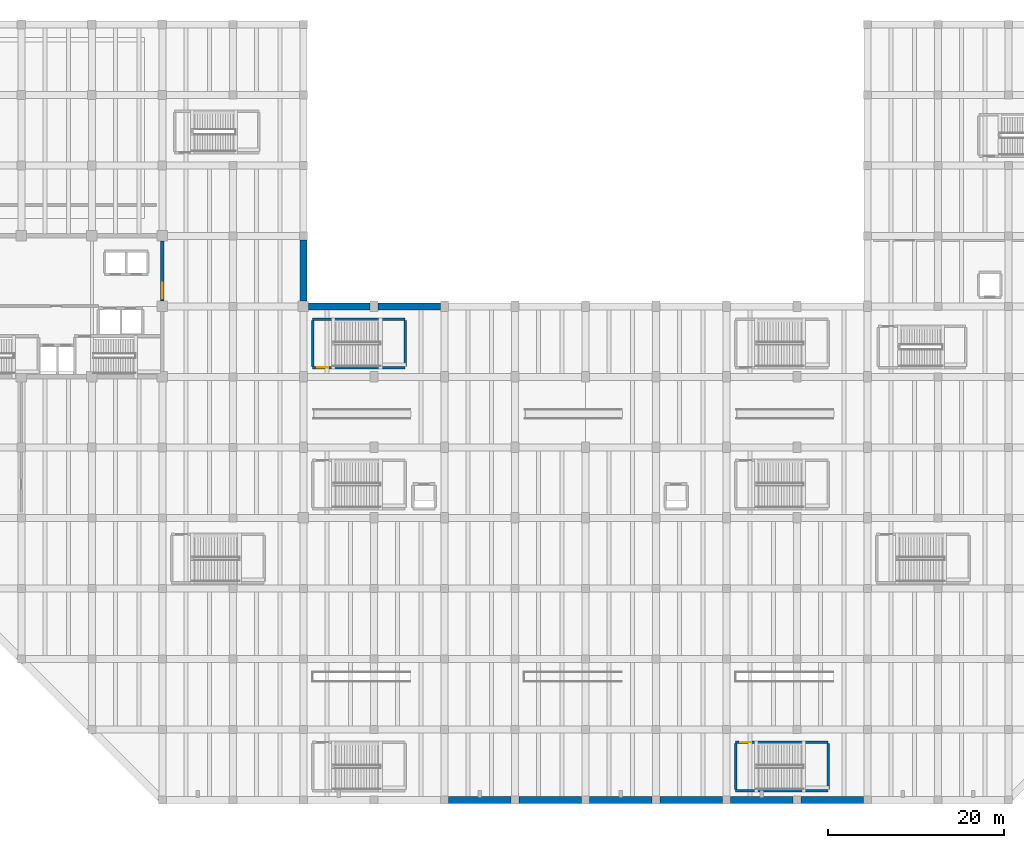
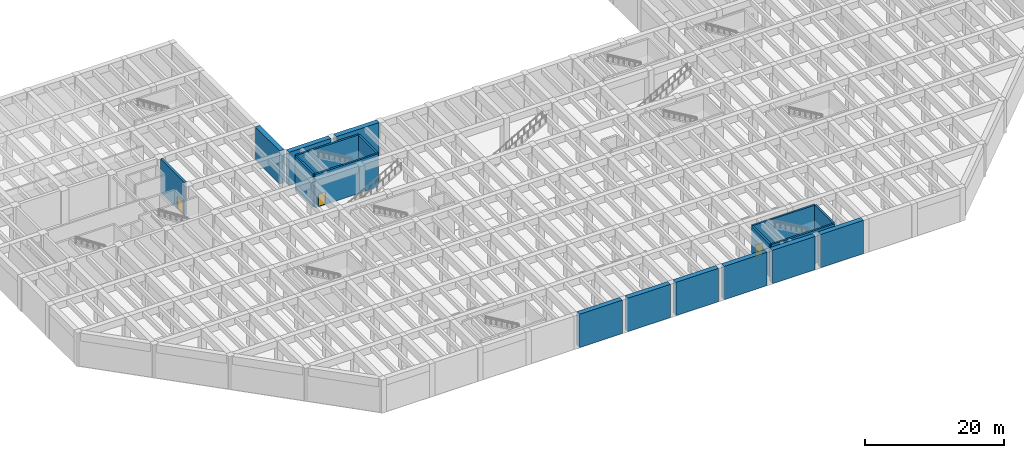
# One storey, part 9 of 24: 18 walls, 3 doors, 3 openings.
"""IFC4 building model written with IfcOpenShell, lengths in metres."""

from ifc_helpers import new_model, si_unit, direction, frame, frame_2d, origin, place, context, subcontext, project, spatial, rectangle, extrude, material, layer, layer_set, type_object, element, fill, save


model = new_model("IFC4")

# Units and contexts
model_context = context("Model", 3, precision=1e-05, world=origin(), true_north=direction((0.0, 1.0)))
body_context = subcontext(model_context, "Body", "Model", "MODEL_VIEW")
ifc_project = project(units=[si_unit("LENGTHUNIT", "METRE"), si_unit("AREAUNIT", "SQUARE_METRE"), si_unit("VOLUMEUNIT", "CUBIC_METRE"), si_unit("PLANEANGLEUNIT", "RADIAN"), si_unit("MASSUNIT", "GRAM", prefix="KILO")], contexts=[model_context])

# Site, building, storey
site_placement = place(None, origin())
site = spatial("IfcSite", under=ifc_project, at=site_placement, CompositionType="ELEMENT")
building_placement = place(site_placement, origin())
building = spatial("IfcBuilding", under=site, at=building_placement, Name="Varnela Railside Interchange", CompositionType="ELEMENT")
storey_placement = place(building_placement, frame((0.0, 0.0, -6.300048828125)))
storey = spatial("IfcBuildingStorey", under=building, at=storey_placement, Name="B1", CompositionType="ELEMENT", Elevation=-6.300048828125)

# Wall, opening, door
ifc_material_1 = material(Name="Concrete C50", Category="concrete")
ifc_layer_1 = layer(ifc_material_1, 0.39990234375)
ifc_layer_set_1 = layer_set([ifc_layer_1], Name="Concrete C50")
wall_type_1 = type_object("IfcWallType", Name="Core Coupling Shear Wall SW-02", PredefinedType="SHEAR", material=ifc_layer_set_1)
wall_1_placement = place(storey_placement, frame((36.0, 62.60009765625, 0.0), z_axis=(0.0, 0.0, 1.0), x_axis=(0.0, 1.0, 0.0)))
wall_1 = element("IfcWall", 1, at=wall_1_placement, inside=storey, type_object=wall_type_1, Name="Core Coupling Shear Wall SW-02 (B1) (WL-0154)", PredefinedType="SHEAR", context=body_context, shape_type="SweptSolid", body=[
    extrude(rectangle(XDim=6.7998046875, YDim=0.39990234375, at=frame_2d((3.39990234375, 0.0))), origin(), (0.0, 0.0, 1.0), 5.85009765625),
])
opening_1_placement = place(wall_1_placement, frame((0.300048828125, 0.0, 0.0)))
opening_1 = element("IfcOpeningElement", 2, at=opening_1_placement, cuts=wall_1, Name="Opening D-128", PredefinedType="OPENING", context=body_context, shape_type="SweptSolid", body=[
    extrude(rectangle(XDim=1.800048828125, YDim=2.199951171875, at=frame_2d((0.89990234375, 1.10009765625))), frame((0.0, 0.2099609375, 0.0), z_axis=(0.0, -1.0, 0.0), x_axis=(1.0, 0.0, 0.0)), (0.0, 0.0, 1.0), 0.419921875),
])
ifc_material_2 = material(Name="Steel AR 350 (350 MPa)", Category="steel")
door_type_1 = type_object("IfcDoorType", Name="DR-DBL-1800-FD60", OperationType="DOUBLE_DOOR_SINGLE_SWING", PredefinedType="DOOR", material=ifc_material_2)
door_1_placement = place(opening_1_placement, origin())
door_1 = element("IfcDoor", 3, at=door_1_placement, inside=storey, type_object=door_type_1, Name="Door D-128", OperationType="DOUBLE_DOOR_SINGLE_SWING", OverallHeight=2.199951171875, OverallWidth=1.800048828125, PredefinedType="DOOR", context=body_context, shape_type="SweptSolid", body=[
    extrude(rectangle(XDim=1.800048828125, YDim=2.199951171875, at=frame_2d((0.89990234375, 1.10009765625))), frame((0.0, 0.02490234375, 0.0), z_axis=(0.0, -1.0, 0.0), x_axis=(1.0, 0.0, 0.0)), (0.0, 0.0, 1.0), 0.050048828125),
])
fill(opening_1, door_1)

# Wall
ifc_layer_2 = layer(ifc_material_1, 0.300048828125)
ifc_layer_set_2 = layer_set([ifc_layer_2], Name="Concrete C50")
wall_type_2 = type_object("IfcWallType", Name="Stair & Lift Shaft Wall SW-03", PredefinedType="SHEAR", material=ifc_layer_set_2)
wall_2_placement = place(storey_placement, frame((53.050048828125, 60.550048828125, 0.0), z_axis=(0.0, 0.0, 1.0), x_axis=(1.0, 0.0, 0.0)))
element("IfcWall", 4, at=wall_2_placement, inside=storey, type_object=wall_type_2, Name="Stair & Lift Shaft Wall SW-03 (B1) (WL-0271)", PredefinedType="SHEAR", context=body_context, shape_type="SweptSolid", body=[
    extrude(rectangle(XDim=10.5, YDim=0.300048828125, at=frame_2d((5.25, 0.0))), origin(), (0.0, 0.0, 1.0), 5.85009765625),
])

# Wall, opening, door
wall_3_placement = place(storey_placement, frame((53.050048828125, 55.050048828125, 0.0), z_axis=(0.0, 0.0, 1.0), x_axis=(1.0, 0.0, 0.0)))
wall_3 = element("IfcWall", 5, at=wall_3_placement, inside=storey, type_object=wall_type_2, Name="Stair & Lift Shaft Wall SW-03 (B1) (WL-0272)", PredefinedType="SHEAR", context=body_context, shape_type="SweptSolid", body=[
    extrude(rectangle(XDim=10.5, YDim=0.300048828125, at=frame_2d((5.25, 0.0))), origin(), (0.0, 0.0, 1.0), 5.85009765625),
])
opening_2_placement = place(wall_3_placement, frame((0.550048828125, 0.0, 0.0)))
opening_2 = element("IfcOpeningElement", 6, at=opening_2_placement, cuts=wall_3, Name="Opening D-134", PredefinedType="OPENING", context=body_context, shape_type="SweptSolid", body=[
    extrude(rectangle(XDim=1.199951171875, YDim=2.199951171875, at=frame_2d((0.60009765625, 1.10009765625))), frame((0.0, 0.159912109375, 0.0), z_axis=(0.0, -1.0, 0.0), x_axis=(1.0, 0.0, 0.0)), (0.0, 0.0, 1.0), 0.320068359375),
])
door_type_2 = type_object("IfcDoorType", Name="DR-SGL-1200-FD90", OperationType="NOTDEFINED", PredefinedType="DOOR", material=ifc_material_2)
door_2_placement = place(opening_2_placement, origin())
door_2 = element("IfcDoor", 7, at=door_2_placement, inside=storey, type_object=door_type_2, Name="Door D-134", OperationType="SINGLE_SWING_RIGHT", OverallHeight=2.199951171875, OverallWidth=1.199951171875, PredefinedType="DOOR", context=body_context, shape_type="SweptSolid", body=[
    extrude(rectangle(XDim=1.199951171875, YDim=2.199951171875, at=frame_2d((0.60009765625, 1.10009765625))), frame((0.0, 0.02490234375, 0.0), z_axis=(0.0, -1.0, 0.0), x_axis=(1.0, 0.0, 0.0)), (0.0, 0.0, 1.0), 0.050048828125),
])
fill(opening_2, door_2)

# Walls
for number, where, z_axis, x_axis, name in (
    (8, (53.050048828125, 55.199951171875, 0.0), (0.0, 0.0, 1.0), (0.0, 1.0, 0.0), "Stair & Lift Shaft Wall SW-03 (B1) (WL-0273)"),
    (9, (63.550048828125, 55.199951171875, 0.0), (0.0, 0.0, 1.0), (0.0, 1.0, 0.0), "Stair & Lift Shaft Wall SW-03 (B1) (WL-0270)"),
):
    element("IfcWall", number, at=place(storey_placement, frame(where, z_axis=z_axis, x_axis=x_axis)), inside=storey, type_object=wall_type_2, Name=name, PredefinedType="SHEAR", context=body_context, shape_type="SweptSolid", body=[
        extrude(rectangle(XDim=5.199951171875, YDim=0.300048828125, at=frame_2d((2.60009765625, 0.0))), origin(), (0.0, 0.0, 1.0), 5.85009765625),
    ])

# Wall, opening, door
wall_4_placement = place(storey_placement, frame((101.050048828125, 12.550048828125, 0.0), z_axis=(0.0, 0.0, 1.0), x_axis=(1.0, 0.0, 0.0)))
wall_4 = element("IfcWall", 10, at=wall_4_placement, inside=storey, type_object=wall_type_2, Name="Stair & Lift Shaft Wall SW-03 (B1) (WL-0303)", PredefinedType="SHEAR", context=body_context, shape_type="SweptSolid", body=[
    extrude(rectangle(XDim=10.5, YDim=0.300048828125, at=frame_2d((5.25, 0.0))), origin(), (0.0, 0.0, 1.0), 5.85009765625),
])
opening_3_placement = place(wall_4_placement, frame((0.550048828125, 0.0, 0.0)))
opening_3 = element("IfcOpeningElement", 11, at=opening_3_placement, cuts=wall_4, Name="Opening D-139", PredefinedType="OPENING", context=body_context, shape_type="SweptSolid", body=[
    extrude(rectangle(XDim=1.199951171875, YDim=2.199951171875, at=frame_2d((0.60009765625, 1.10009765625))), frame((0.0, 0.159912109375, 0.0), z_axis=(0.0, -1.0, 0.0), x_axis=(1.0, 0.0, 0.0)), (0.0, 0.0, 1.0), 0.320068359375),
])
door_3_placement = place(opening_3_placement, frame((1.199951171875, 0.0, 0.0), z_axis=(0.0, 0.0, 1.0), x_axis=(-1.0, 0.0, 0.0)))
door_3 = element("IfcDoor", 12, at=door_3_placement, inside=storey, type_object=door_type_2, Name="Door D-139", OperationType="SINGLE_SWING_LEFT", OverallHeight=2.199951171875, OverallWidth=1.199951171875, PredefinedType="DOOR", context=body_context, shape_type="SweptSolid", body=[
    extrude(rectangle(XDim=1.199951171875, YDim=2.199951171875, at=frame_2d((0.60009765625, 1.10009765625))), frame((0.0, 0.02490234375, 0.0), z_axis=(0.0, -1.0, 0.0), x_axis=(1.0, 0.0, 0.0)), (0.0, 0.0, 1.0), 0.050048828125),
])
fill(opening_3, door_3)

# Walls
wall_5_placement = place(storey_placement, frame((101.050048828125, 7.050048828125, 0.0), z_axis=(0.0, 0.0, 1.0), x_axis=(1.0, 0.0, 0.0)))
element("IfcWall", 13, at=wall_5_placement, inside=storey, type_object=wall_type_2, Name="Stair & Lift Shaft Wall SW-03 (B1) (WL-0304)", PredefinedType="SHEAR", context=body_context, shape_type="SweptSolid", body=[
    extrude(rectangle(XDim=10.5, YDim=0.300048828125, at=frame_2d((5.25, 0.0))), origin(), (0.0, 0.0, 1.0), 5.85009765625),
])
for number, where, z_axis, x_axis, name in (
    (14, (101.050048828125, 7.199951171875, 0.0), (0.0, 0.0, 1.0), (0.0, 1.0, 0.0), "Stair & Lift Shaft Wall SW-03 (B1) (WL-0305)"),
    (15, (111.550048828125, 7.199951171875, 0.0), (0.0, 0.0, 1.0), (0.0, 1.0, 0.0), "Stair & Lift Shaft Wall SW-03 (B1) (WL-0302)"),
):
    element("IfcWall", number, at=place(storey_placement, frame(where, z_axis=z_axis, x_axis=x_axis)), inside=storey, type_object=wall_type_2, Name=name, PredefinedType="SHEAR", context=body_context, shape_type="SweptSolid", body=[
        extrude(rectangle(XDim=5.199951171875, YDim=0.300048828125, at=frame_2d((2.60009765625, 0.0))), origin(), (0.0, 0.0, 1.0), 5.85009765625),
    ])
ifc_material_3 = material(Name="Concrete C40", Category="concrete")
ifc_layer_3 = layer(ifc_material_3, 0.800048828125)
ifc_layer_set_3 = layer_set([ifc_layer_3], Name="Concrete C40")
wall_type_3 = type_object("IfcWallType", Name="Station Box Retaining Wall DW-02", PredefinedType="USERDEFINED", material=ifc_layer_set_3)
for number, where, z_axis, x_axis, name in (
    (16, (68.449951171875, 6.0, 0.0), (0.0, 0.0, 1.0), (1.0, 0.0, 0.0), "Station Box Retaining Wall DW-02 (B1) (WL-0222)"),
    (17, (76.449951171875, 6.0, 0.0), (0.0, 0.0, 1.0), (1.0, 0.0, 0.0), "Station Box Retaining Wall DW-02 (B1) (WL-0223)"),
    (18, (84.449951171875, 6.0, 0.0), (0.0, 0.0, 1.0), (1.0, 0.0, 0.0), "Station Box Retaining Wall DW-02 (B1) (WL-0224)"),
    (19, (92.449951171875, 6.0, 0.0), (0.0, 0.0, 1.0), (1.0, 0.0, 0.0), "Station Box Retaining Wall DW-02 (B1) (WL-0225)"),
    (20, (100.449951171875, 6.0, 0.0), (0.0, 0.0, 1.0), (1.0, 0.0, 0.0), "Station Box Retaining Wall DW-02 (B1) (WL-0226)"),
    (21, (108.449951171875, 6.0, 0.0), (0.0, 0.0, 1.0), (1.0, 0.0, 0.0), "Station Box Retaining Wall DW-02 (B1) (WL-0227)"),
    (22, (67.550048828125, 62.0, 0.0), (0.0, 0.0, 1.0), (-1.0, 0.0, 0.0), "Station Box Retaining Wall DW-02 (B1) (WL-0202)"),
):
    element("IfcWall", number, at=place(storey_placement, frame(where, z_axis=z_axis, x_axis=x_axis)), inside=storey, type_object=wall_type_3, Name=name, ObjectType="RETAININGWALL", PredefinedType="USERDEFINED", context=body_context, shape_type="SweptSolid", body=[
        extrude(rectangle(XDim=7.10009765625, YDim=0.800048828125, at=frame_2d((3.550048828125, 0.0))), origin(), (0.0, 0.0, 1.0), 5.85009765625),
    ])
for number, where, z_axis, x_axis, name in (
    (23, (59.550048828125, 62.0, 0.0), (0.0, 0.0, 1.0), (-1.0, 0.0, 0.0), "Station Box Retaining Wall DW-02 (B1) (WL-0203)"),
    (24, (52.0, 62.60009765625, 0.0), (0.0, 0.0, 1.0), (0.0, 1.0, 0.0), "Station Box Retaining Wall DW-02 (B1) (WL-0204)"),
):
    element("IfcWall", number, at=place(storey_placement, frame(where, z_axis=z_axis, x_axis=x_axis)), inside=storey, type_object=wall_type_3, Name=name, ObjectType="RETAININGWALL", PredefinedType="USERDEFINED", context=body_context, shape_type="SweptSolid", body=[
        extrude(rectangle(XDim=6.949951171875, YDim=0.800048828125, at=frame_2d((3.47509765625, 0.0))), origin(), (0.0, 0.0, 1.0), 5.85009765625),
    ])

save(model, "model.ifc")
